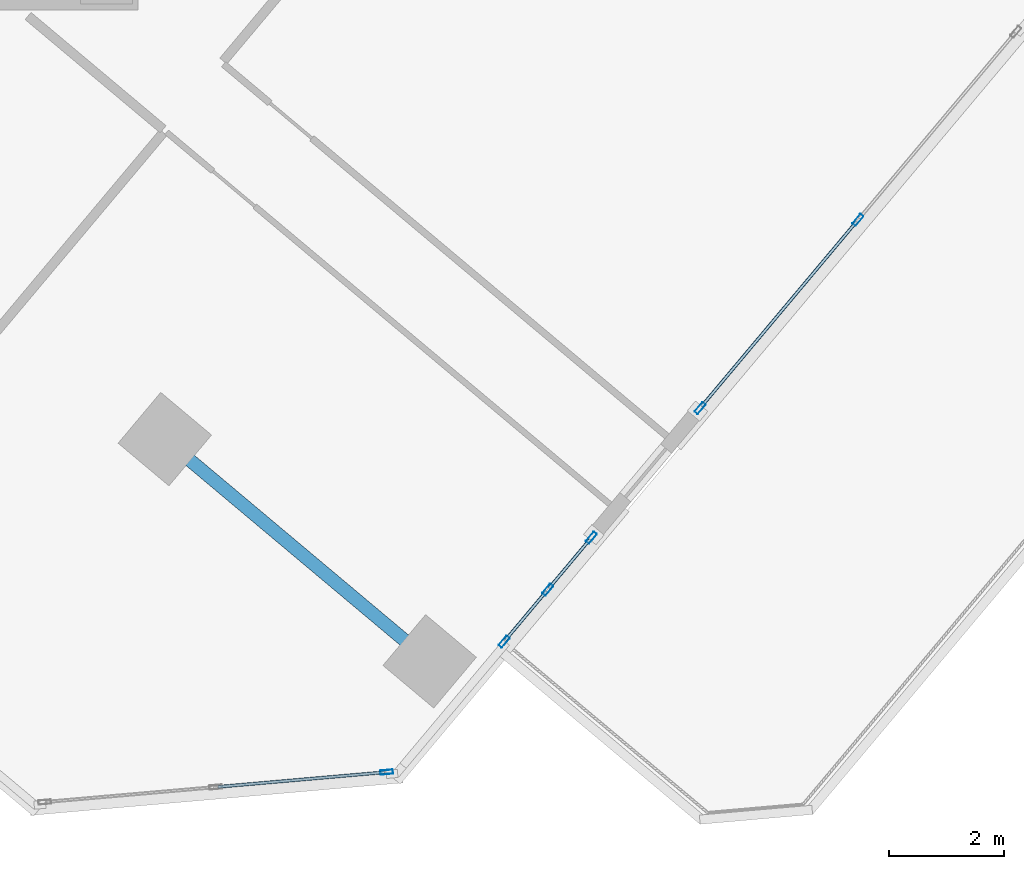
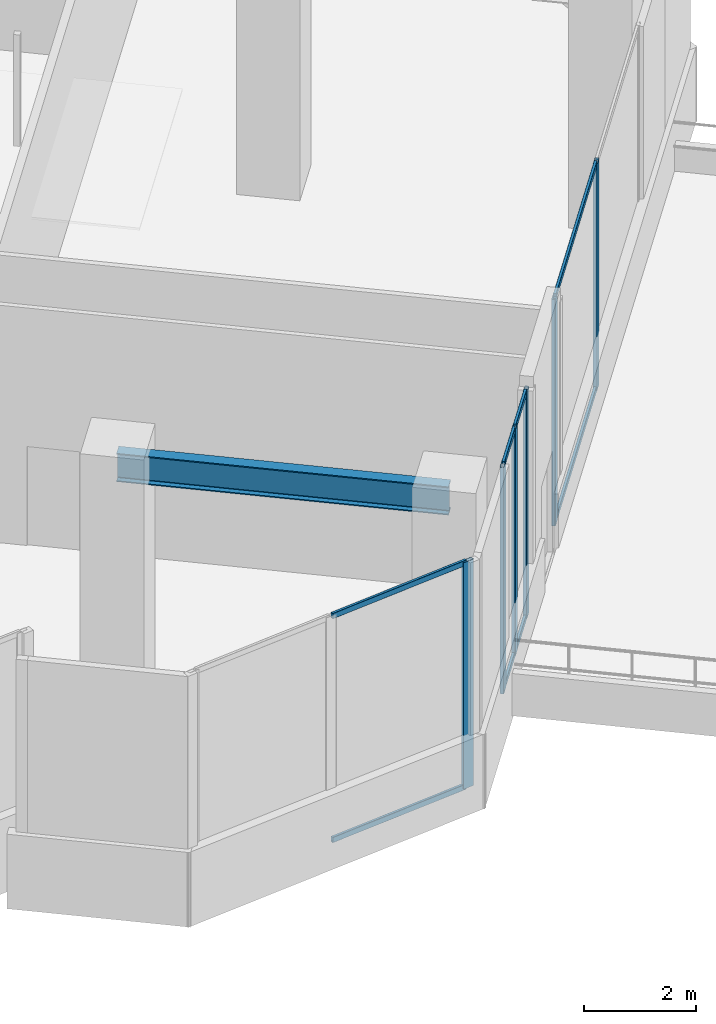
# One storey, part 5 of 17: 14 members, 1 beam, 3 elements without a shape of their own.
"""IFC4 building model written with IfcOpenShell, lengths in metres."""

from ifc_helpers import new_model, si_unit, direction, frame, origin, origin_2d, place, context, subcontext, project, spatial, hollow_rectangle, i_section, extrude, source, transform, mapped, material, material_profile, profile_set, type_object, element, aggregate, save


model = new_model("IFC4")

# Units and contexts
model_context = context("Model", 3, precision=1e-05, world=origin(), true_north=direction((0.0, 1.0)))
body_context = subcontext(model_context, "Body", "Model", "MODEL_VIEW")
ifc_project = project(units=[si_unit("LENGTHUNIT", "METRE"), si_unit("AREAUNIT", "SQUARE_METRE"), si_unit("VOLUMEUNIT", "CUBIC_METRE"), si_unit("PLANEANGLEUNIT", "RADIAN"), si_unit("MASSUNIT", "GRAM", prefix="KILO")], contexts=[model_context])

# Site, building, storey
site_placement = place(None, origin())
site = spatial("IfcSite", under=ifc_project, at=site_placement, CompositionType="ELEMENT")
building_placement = place(site_placement, origin())
building = spatial("IfcBuilding", under=site, at=building_placement, Name="Torre Montelarca", CompositionType="ELEMENT")
storey_placement = place(building_placement, frame((0.0, 0.0, 215.199951171875)))
storey = spatial("IfcBuildingStorey", under=building, at=storey_placement, Name="L48", CompositionType="ELEMENT", Elevation=215.199951171875)

# Beam
ifc_material_1 = material(Name="Steel ASTM A992 Grade 50", Category="steel")
ifc_material_profile_1 = material_profile(ifc_material_1, i_section(OverallWidth=0.22998046875, OverallDepth=0.616943359375, WebThickness=0.01318359375, FlangeThickness=0.022216796875, FilletRadius=0.014892578125, at=origin_2d()), Name="W610X140", Category="steel")
ifc_profile_set_1 = profile_set([ifc_material_profile_1], Name="Steel ASTM A992 Grade 50")
beam_type = type_object("IfcBeamType", Name="BM-G-W610", PredefinedType="BEAM", material=ifc_profile_set_1)
shared_shape_1 = source(origin(), body_context, "Body", "SweptSolid", [
    extrude(i_section(OverallWidth=0.22998046875, OverallDepth=0.616943359375, WebThickness=0.01318359375, FlangeThickness=0.022216796875, FilletRadius=0.014892578125, at=origin_2d()), origin(), (0.0, 0.0, 1.0), 6.0),
])
beam_placement = place(storey_placement, frame((27.46533203125, 16.55126953125, 4.85107421875), z_axis=(0.766042232247, -0.642790244492, 0.0), x_axis=(0.642790244492, 0.766042232247, 0.0)))
element("IfcBeam", 1, at=beam_placement, inside=storey, type_object=beam_type, Name="L48 Grid Girder X 36.0-42.0 at Y=24.0", PredefinedType="BEAM", context=body_context, shape_type="MappedRepresentation", body=[
    mapped(shared_shape_1, transform((0.0, 0.0, 0.0), scale=1.0)),
])

# Curtain wall, member
ifc_material_2 = material(Name="Insulated low-E laminated glass", Category="glass")
curtain_wall_type = type_object("IfcCurtainWallType", Name="CW-SYS-Z3", PredefinedType="USERDEFINED", material=ifc_material_2)
curtain_wall_1_placement = place(storey_placement, origin())
curtain_wall_1 = element("IfcCurtainWall", 2, at=curtain_wall_1_placement, inside=storey, type_object=curtain_wall_type, Name="L48 Curtain Wall Run CW-T3-L48-E05-B1", ObjectType="UNITISED GLAZING", PredefinedType="USERDEFINED")
ifc_material_3 = material(Name="Anodised aluminium AA 6063-T6", Category="aluminium")
ifc_material_profile_2 = material_profile(ifc_material_3, hollow_rectangle(XDim=0.074951171875, YDim=0.219970703125, WallThickness=0.0048828125, InnerFilletRadius=0.0048828125, OuterFilletRadius=0.010009765625, at=origin_2d()), Name="ALU75X220X5", Category="aluminium")
ifc_profile_set_2 = profile_set([ifc_material_profile_2], Name="Anodised aluminium AA 6063-T6")
member_type_1 = type_object("IfcMemberType", Name="CWM-ALU220", PredefinedType="MULLION", material=ifc_profile_set_2)
shared_shape_2 = source(origin(), body_context, "Body", "SweptSolid", [
    extrude(hollow_rectangle(XDim=0.074951171875, YDim=0.219970703125, WallThickness=0.0048828125, InnerFilletRadius=0.0048828125, OuterFilletRadius=0.010009765625, at=origin_2d()), origin(), (0.0, 0.0, 1.0), 4.920166015625),
])
member_1_placement = place(storey_placement, frame((31.31591796875, 10.772216796875, 0.0), z_axis=(0.0, 0.0, 1.0), x_axis=(-0.087181139731, 0.996192475817, 0.0)))
member_1 = element("IfcMember", 3, at=member_1_placement, type_object=member_type_1, Name="CW mullion 3", PredefinedType="MULLION", context=body_context, shape_type="MappedRepresentation", body=[
    mapped(shared_shape_2, transform((0.0, 0.0, 0.0), scale=1.0)),
])

# Curtain wall, members
curtain_wall_2_placement = place(storey_placement, origin())
curtain_wall_2 = element("IfcCurtainWall", 4, at=curtain_wall_2_placement, inside=storey, type_object=curtain_wall_type, Name="L48 Curtain Wall Run CW-T3-L48-E06-B1", ObjectType="UNITISED GLAZING", PredefinedType="USERDEFINED")
member_2_placement = place(storey_placement, frame((33.353759765625, 13.036376953125, 0.0), z_axis=(0.0, 0.0, 1.0), x_axis=(-0.766058892296, 0.642770389435, 0.0)))
member_2 = element("IfcMember", 5, at=member_2_placement, type_object=member_type_1, Name="CW mullion 1", PredefinedType="MULLION", context=body_context, shape_type="MappedRepresentation", body=[
    mapped(shared_shape_2, transform((0.0, 0.0, 0.0), scale=1.0)),
])
member_3_placement = place(storey_placement, frame((34.11083984375, 13.938720703125, 0.0), z_axis=(0.0, 0.0, 1.0), x_axis=(-0.766058892296, 0.642770389435, 0.0)))
member_3 = element("IfcMember", 6, at=member_3_placement, type_object=member_type_1, Name="CW mullion 2", PredefinedType="MULLION", context=body_context, shape_type="MappedRepresentation", body=[
    mapped(shared_shape_2, transform((0.0, 0.0, 0.0), scale=1.0)),
])
member_4_placement = place(storey_placement, frame((34.867919921875, 14.841064453125, 0.0), z_axis=(0.0, 0.0, 1.0), x_axis=(-0.766058892296, 0.642770389435, 0.0)))
member_4 = element("IfcMember", 7, at=member_4_placement, type_object=member_type_1, Name="CW mullion 3", PredefinedType="MULLION", context=body_context, shape_type="MappedRepresentation", body=[
    mapped(shared_shape_2, transform((0.0, 0.0, 0.0), scale=1.0)),
])

curtain_wall_3_placement = place(storey_placement, origin())
curtain_wall_3 = element("IfcCurtainWall", 8, at=curtain_wall_3_placement, inside=storey, type_object=curtain_wall_type, Name="L48 Curtain Wall Run CW-T3-L48-E06-B2", ObjectType="UNITISED GLAZING", PredefinedType="USERDEFINED")
member_5_placement = place(storey_placement, frame((36.754638671875, 17.08935546875, 0.0), z_axis=(0.0, 0.0, 1.0), x_axis=(-0.766049305207, 0.642781815231, 0.0)))
member_5 = element("IfcMember", 9, at=member_5_placement, type_object=member_type_1, Name="CW mullion 1", PredefinedType="MULLION", context=body_context, shape_type="MappedRepresentation", body=[
    mapped(shared_shape_2, transform((0.0, 0.0, 0.0), scale=1.0)),
])
member_6_placement = place(storey_placement, frame((39.494140625, 20.3544921875, 0.0), z_axis=(0.0, 0.0, 1.0), x_axis=(-0.766049305207, 0.642781815231, 0.0)))
member_6 = element("IfcMember", 10, at=member_6_placement, type_object=member_type_1, Name="CW mullion 2", PredefinedType="MULLION", context=body_context, shape_type="MappedRepresentation", body=[
    mapped(shared_shape_2, transform((0.0, 0.0, 0.0), scale=1.0)),
])

# Member
ifc_material_profile_3 = material_profile(ifc_material_3, hollow_rectangle(XDim=0.054931640625, YDim=0.1201171875, WallThickness=0.00341796875, InnerFilletRadius=0.00341796875, OuterFilletRadius=0.007080078125, at=origin_2d()), Name="ALU55X120X3.5", Category="aluminium")
ifc_profile_set_3 = profile_set([ifc_material_profile_3], Name="Anodised aluminium AA 6063-T6")
member_type_2 = type_object("IfcMemberType", Name="CWT-ALU120", PredefinedType="USERDEFINED", material=ifc_profile_set_3)
shared_shape_3 = source(origin(), body_context, "Body", "SweptSolid", [
    extrude(hollow_rectangle(XDim=0.054931640625, YDim=0.1201171875, WallThickness=0.00341796875, InnerFilletRadius=0.00341796875, OuterFilletRadius=0.007080078125, at=origin_2d()), origin(), (0.0, 0.0, 1.0), 2.903564453125),
])
member_7_placement = place(storey_placement, frame((28.385986328125, 10.515869140625, 0.027587890625), z_axis=(0.996191526826, 0.087191982893, 0.0), x_axis=(-0.087191982893, 0.996191526826, 0.0)))
member_7 = element("IfcMember", 11, at=member_7_placement, type_object=member_type_2, Name="CW transom 2.1", ObjectType="TRANSOM", PredefinedType="USERDEFINED", context=body_context, shape_type="MappedRepresentation", body=[
    mapped(shared_shape_3, transform((0.0, 0.0, 0.0), scale=1.0)),
])

member_8_placement = place(storey_placement, frame((28.385986328125, 10.515869140625, 4.892578125), z_axis=(0.996191526826, 0.087191982893, 0.0), x_axis=(-0.087191982893, 0.996191526826, 0.0)))
member_8 = element("IfcMember", 12, at=member_8_placement, type_object=member_type_2, Name="CW transom 2.2", ObjectType="TRANSOM", PredefinedType="USERDEFINED", context=body_context, shape_type="MappedRepresentation", body=[
    mapped(shared_shape_3, transform((0.0, 0.0, 0.0), scale=1.0)),
])

aggregate(curtain_wall_1, [member_1, member_7, member_8])

shared_shape_4 = source(origin(), body_context, "Body", "SweptSolid", [
    extrude(hollow_rectangle(XDim=0.054931640625, YDim=0.1201171875, WallThickness=0.00341796875, InnerFilletRadius=0.00341796875, OuterFilletRadius=0.007080078125, at=origin_2d()), origin(), (0.0, 0.0, 1.0), 1.102783203125),
])
member_9_placement = place(storey_placement, frame((33.3779296875, 13.065185546875, 0.027587890625), z_axis=(0.64264160642, 0.7661669307, 0.0), x_axis=(-0.7661669307, 0.64264160642, 0.0)))
member_9 = element("IfcMember", 13, at=member_9_placement, type_object=member_type_2, Name="CW transom 1.1", ObjectType="TRANSOM", PredefinedType="USERDEFINED", context=body_context, shape_type="MappedRepresentation", body=[
    mapped(shared_shape_4, transform((0.0, 0.0, 0.0), scale=1.0)),
])

member_10_placement = place(storey_placement, frame((33.3779296875, 13.065185546875, 4.892578125), z_axis=(0.64264160642, 0.7661669307, 0.0), x_axis=(-0.7661669307, 0.64264160642, 0.0)))
member_10 = element("IfcMember", 14, at=member_10_placement, type_object=member_type_2, Name="CW transom 1.2", ObjectType="TRANSOM", PredefinedType="USERDEFINED", context=body_context, shape_type="MappedRepresentation", body=[
    mapped(shared_shape_4, transform((0.0, 0.0, 0.0), scale=1.0)),
])

shared_shape_5 = source(origin(), body_context, "Body", "SweptSolid", [
    extrude(hollow_rectangle(XDim=0.054931640625, YDim=0.1201171875, WallThickness=0.00341796875, InnerFilletRadius=0.00341796875, OuterFilletRadius=0.007080078125, at=origin_2d()), origin(), (0.0, 0.0, 1.0), 1.10302734375),
])
member_11_placement = place(storey_placement, frame((34.135009765625, 13.967529296875, 0.027587890625), z_axis=(0.642771526397, 0.766057938313, 0.0), x_axis=(-0.766057938313, 0.642771526397, 0.0)))
member_11 = element("IfcMember", 15, at=member_11_placement, type_object=member_type_2, Name="CW transom 2.1", ObjectType="TRANSOM", PredefinedType="USERDEFINED", context=body_context, shape_type="MappedRepresentation", body=[
    mapped(shared_shape_5, transform((0.0, 0.0, 0.0), scale=1.0)),
])

member_12_placement = place(storey_placement, frame((34.135009765625, 13.967529296875, 4.892578125), z_axis=(0.642771526397, 0.766057938313, 0.0), x_axis=(-0.766057938313, 0.642771526397, 0.0)))
member_12 = element("IfcMember", 16, at=member_12_placement, type_object=member_type_2, Name="CW transom 2.2", ObjectType="TRANSOM", PredefinedType="USERDEFINED", context=body_context, shape_type="MappedRepresentation", body=[
    mapped(shared_shape_5, transform((0.0, 0.0, 0.0), scale=1.0)),
])

aggregate(curtain_wall_2, [member_2, member_3, member_4, member_9, member_10, member_11, member_12])

shared_shape_6 = source(origin(), body_context, "Body", "SweptSolid", [
    extrude(hollow_rectangle(XDim=0.054931640625, YDim=0.1201171875, WallThickness=0.00341796875, InnerFilletRadius=0.00341796875, OuterFilletRadius=0.007080078125, at=origin_2d()), origin(), (0.0, 0.0, 1.0), 4.18701171875),
])
member_13_placement = place(storey_placement, frame((36.77880859375, 17.1181640625, 0.027587890625), z_axis=(0.64278449755, 0.766047054501, 0.0), x_axis=(-0.766047054501, 0.64278449755, 0.0)))
member_13 = element("IfcMember", 17, at=member_13_placement, type_object=member_type_2, Name="CW transom 1.1", ObjectType="TRANSOM", PredefinedType="USERDEFINED", context=body_context, shape_type="MappedRepresentation", body=[
    mapped(shared_shape_6, transform((0.0, 0.0, 0.0), scale=1.0)),
])

member_14_placement = place(storey_placement, frame((36.77880859375, 17.1181640625, 4.892578125), z_axis=(0.64278449755, 0.766047054501, 0.0), x_axis=(-0.766047054501, 0.64278449755, 0.0)))
member_14 = element("IfcMember", 18, at=member_14_placement, type_object=member_type_2, Name="CW transom 1.2", ObjectType="TRANSOM", PredefinedType="USERDEFINED", context=body_context, shape_type="MappedRepresentation", body=[
    mapped(shared_shape_6, transform((0.0, 0.0, 0.0), scale=1.0)),
])

aggregate(curtain_wall_3, [member_5, member_6, member_13, member_14])

save(model, "model.ifc")
